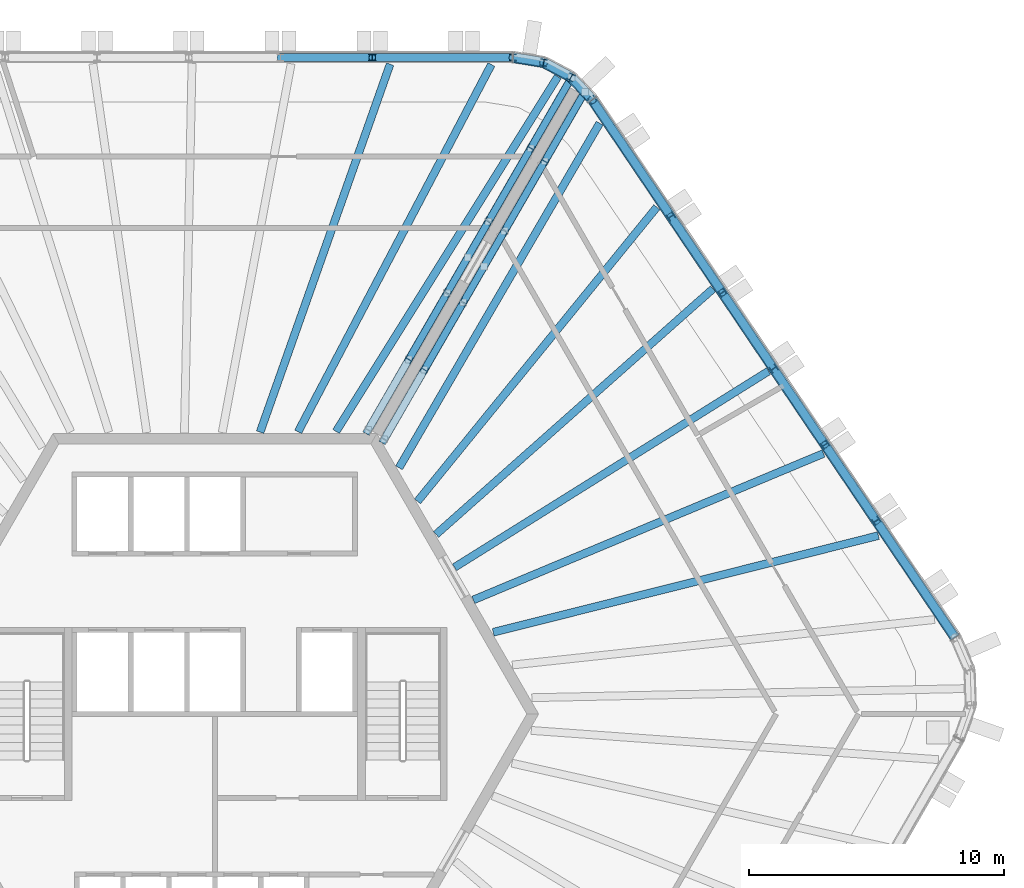
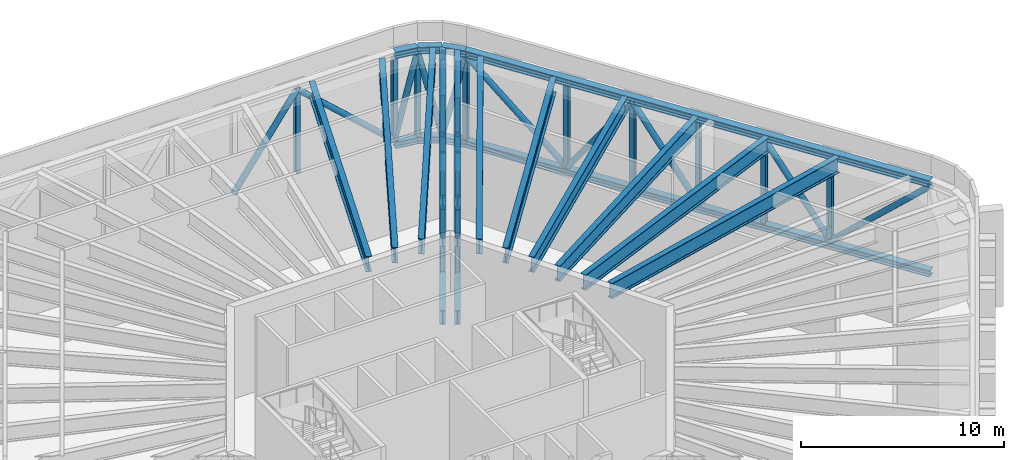
# One storey, part 8 of 19: 55 members, 9 beams.
"""IFC4 building model written with IfcOpenShell, lengths in metres."""

from ifc_helpers import new_model, si_unit, direction, frame, origin, origin_2d, place, context, subcontext, project, spatial, hollow_circle, i_section, extrude, material, material_profile, profile_set, type_object, element, save


model = new_model("IFC4")

# Units and contexts
model_context = context("Model", 3, precision=1e-05, world=origin(), true_north=direction((0.0, 1.0)))
body_context = subcontext(model_context, "Body", "Model", "MODEL_VIEW")
ifc_project = project(units=[si_unit("LENGTHUNIT", "METRE"), si_unit("AREAUNIT", "SQUARE_METRE"), si_unit("VOLUMEUNIT", "CUBIC_METRE"), si_unit("PLANEANGLEUNIT", "RADIAN"), si_unit("MASSUNIT", "GRAM", prefix="KILO")], contexts=[model_context])

# Site, building, storey
site_placement = place(None, origin())
site = spatial("IfcSite", under=ifc_project, at=site_placement, CompositionType="ELEMENT")
building_placement = place(site_placement, origin())
building = spatial("IfcBuilding", under=site, at=building_placement, Name="Tarnside Tower", CompositionType="ELEMENT")
storey_placement = place(building_placement, frame((0.0, 0.0, 343.5)))
storey = spatial("IfcBuildingStorey", under=building, at=storey_placement, Name="L83", CompositionType="ELEMENT", Elevation=343.5)

# Beams
ifc_material = material(Name="Steel S355", Category="steel")
ifc_material_profile_1 = material_profile(ifc_material, i_section(OverallWidth=0.3076171875, OverallDepth=0.926513671875, WebThickness=0.01953125, FlangeThickness=0.031982421875, FilletRadius=0.01904296875, at=origin_2d()), Name="UB 914x305x289")
ifc_profile_set_1 = profile_set([ifc_material_profile_1], Name="Steel S355")
beam_type = type_object("IfcBeamType", Name="Floor beam UB 914x305x289", PredefinedType="BEAM", material=ifc_profile_set_1)
beam_1_placement = place(storey_placement, frame((10.847412109375, 25.477783203125, 5.03662109375), z_axis=(-0.46569451432, -0.88494554597, 0.0), x_axis=(0.88494554597, -0.46569451432, 0.0)))
element("IfcBeam", 1, at=beam_1_placement, inside=storey, type_object=beam_type, Name="Floor beam F1.01", PredefinedType="BEAM", context=body_context, shape_type="SweptSolid", body=[
    extrude(i_section(OverallWidth=0.3076171875, OverallDepth=0.926513671875, WebThickness=0.01953125, FlangeThickness=0.031982421875, FilletRadius=0.01904296875, at=origin_2d()), origin(), (0.0, 0.0, 1.0), 16.280029296875),
])
beam_2_placement = place(storey_placement, frame((6.875, 25.491943359375, 5.03662109375), z_axis=(-0.33312706227, -0.942881944033, 0.0), x_axis=(0.942881944033, -0.33312706227, 0.0)))
element("IfcBeam", 2, at=beam_2_placement, inside=storey, type_object=beam_type, Name="Floor beam F1.02", PredefinedType="BEAM", context=body_context, shape_type="SweptSolid", body=[
    extrude(i_section(OverallWidth=0.3076171875, OverallDepth=0.926513671875, WebThickness=0.01953125, FlangeThickness=0.031982421875, FilletRadius=0.01904296875, at=origin_2d()), origin(), (0.0, 0.0, 1.0), 15.309814453125),
])
beam_3_placement = place(storey_placement, frame((26.02880859375, 6.998046875, 5.03662109375), z_axis=(-0.969916242187, -0.243438869414, 0.0), x_axis=(0.243438869414, -0.969916242187, 0.0)))
element("IfcBeam", 3, at=beam_3_placement, inside=storey, type_object=beam_type, Name="Floor beam F6.02", PredefinedType="BEAM", context=body_context, shape_type="SweptSolid", body=[
    extrude(i_section(OverallWidth=0.3076171875, OverallDepth=0.926513671875, WebThickness=0.01953125, FlangeThickness=0.031982421875, FilletRadius=0.01904296875, at=origin_2d()), origin(), (0.0, 0.0, 1.0), 15.579833984375),
])
beam_4_placement = place(storey_placement, frame((23.8759765625, 10.220458984375, 5.03662109375), z_axis=(-0.92253360101, -0.385916772124, 0.0), x_axis=(0.385916772124, -0.92253360101, 0.0)))
element("IfcBeam", 4, at=beam_4_placement, inside=storey, type_object=beam_type, Name="Floor beam F6.03", PredefinedType="BEAM", context=body_context, shape_type="SweptSolid", body=[
    extrude(i_section(OverallWidth=0.3076171875, OverallDepth=0.926513671875, WebThickness=0.01953125, FlangeThickness=0.031982421875, FilletRadius=0.01904296875, at=origin_2d()), origin(), (0.0, 0.0, 1.0), 14.88818359375),
])
beam_5_placement = place(storey_placement, frame((21.718994140625, 13.452392578125, 5.03662109375), z_axis=(-0.847975639538, -0.530035201426, 0.0), x_axis=(0.530035201426, -0.847975639538, 0.0)))
element("IfcBeam", 5, at=beam_5_placement, inside=storey, type_object=beam_type, Name="Floor beam F6.04", PredefinedType="BEAM", context=body_context, shape_type="SweptSolid", body=[
    extrude(i_section(OverallWidth=0.3076171875, OverallDepth=0.926513671875, WebThickness=0.01953125, FlangeThickness=0.031982421875, FilletRadius=0.01904296875, at=origin_2d()), origin(), (0.0, 0.0, 1.0), 14.5244140625),
])
beam_6_placement = place(storey_placement, frame((19.541748046875, 16.680908203125, 5.03662109375), z_axis=(-0.748136160611, -0.663545239743, 0.0), x_axis=(0.663545239743, -0.748136160611, 0.0)))
element("IfcBeam", 6, at=beam_6_placement, inside=storey, type_object=beam_type, Name="Floor beam F6.05", PredefinedType="BEAM", context=body_context, shape_type="SweptSolid", body=[
    extrude(i_section(OverallWidth=0.3076171875, OverallDepth=0.926513671875, WebThickness=0.01953125, FlangeThickness=0.031982421875, FilletRadius=0.01904296875, at=origin_2d()), origin(), (0.0, 0.0, 1.0), 14.52001953125),
])
beam_7_placement = place(storey_placement, frame((17.336669921875, 19.8828125, 5.03662109375), z_axis=(-0.631007120597, -0.775777038688, 0.0), x_axis=(0.775777038688, -0.631007120597, 0.0)))
element("IfcBeam", 7, at=beam_7_placement, inside=storey, type_object=beam_type, Name="Floor beam F6.06", PredefinedType="BEAM", context=body_context, shape_type="SweptSolid", body=[
    extrude(i_section(OverallWidth=0.3076171875, OverallDepth=0.926513671875, WebThickness=0.01953125, FlangeThickness=0.031982421875, FilletRadius=0.01904296875, at=origin_2d()), origin(), (0.0, 0.0, 1.0), 14.875732421875),
])
beam_8_placement = place(storey_placement, frame((15.096435546875, 23.177978515625, 5.03662109375), z_axis=(-0.503136289046, -0.864207078567, 0.0), x_axis=(0.864207078567, -0.503136289046, 0.0)))
element("IfcBeam", 8, at=beam_8_placement, inside=storey, type_object=beam_type, Name="Floor beam F6.07", PredefinedType="BEAM", context=body_context, shape_type="SweptSolid", body=[
    extrude(i_section(OverallWidth=0.3076171875, OverallDepth=0.926513671875, WebThickness=0.01953125, FlangeThickness=0.031982421875, FilletRadius=0.01904296875, at=origin_2d()), origin(), (0.0, 0.0, 1.0), 15.6435546875),
])
beam_9_placement = place(storey_placement, frame((13.455810546875, 25.00537109375, 5.03662109375), z_axis=(-0.530000276829, -0.847997468488, 0.0), x_axis=(0.847997468488, -0.530000276829, 0.0)))
element("IfcBeam", 9, at=beam_9_placement, inside=storey, type_object=beam_type, Name="Floor beam C6", PredefinedType="BEAM", context=body_context, shape_type="SweptSolid", body=[
    extrude(i_section(OverallWidth=0.3076171875, OverallDepth=0.926513671875, WebThickness=0.01953125, FlangeThickness=0.031982421875, FilletRadius=0.01904296875, at=origin_2d()), origin(), (0.0, 0.0, 1.0), 16.416015625),
])

# Members
ifc_material_profile_2 = material_profile(ifc_material, i_section(OverallWidth=0.291748046875, OverallDepth=0.8349609375, WebThickness=0.013916015625, FlangeThickness=0.018798828125, FilletRadius=0.017822265625, at=origin_2d()), Name="UB 838x292x176")
ifc_profile_set_2 = profile_set([ifc_material_profile_2], Name="Steel S355")
member_type_1 = type_object("IfcMemberType", Name="Outrigger chord UB 838x292x176", PredefinedType="CHORD", material=ifc_profile_set_2)
member_1_placement = place(storey_placement, frame((5.928466796875, 11.0, 5.08251953125), z_axis=(0.499997282881, 0.866026972508, 0.0), x_axis=(-0.866026972508, 0.499997282881, 0.0)))
element("IfcMember", 10, at=member_1_placement, inside=storey, type_object=member_type_1, Name="Outrigger truss top chord OR1A L83", PredefinedType="CHORD", context=body_context, shape_type="SweptSolid", body=[
    extrude(i_section(OverallWidth=0.291748046875, OverallDepth=0.8349609375, WebThickness=0.013916015625, FlangeThickness=0.018798828125, FilletRadius=0.017822265625, at=origin_2d()), origin(), (0.0, 0.0, 1.0), 16.12255859375),
])
member_2_placement = place(storey_placement, frame((5.928466796875, 11.0, 0.41748046875), z_axis=(0.500000237956, 0.866025266401, 0.0), x_axis=(-0.866025266401, 0.500000237956, 0.0)))
element("IfcMember", 11, at=member_2_placement, inside=storey, type_object=member_type_1, Name="Outrigger truss bottom chord OR1A L83", PredefinedType="CHORD", context=body_context, shape_type="SweptSolid", body=[
    extrude(i_section(OverallWidth=0.291748046875, OverallDepth=0.8349609375, WebThickness=0.013916015625, FlangeThickness=0.018798828125, FilletRadius=0.017822265625, at=origin_2d()), origin(), (0.0, 0.0, 1.0), 6.365234375),
])
member_3_placement = place(storey_placement, frame((10.729248046875, 19.3154296875, 0.41748046875), z_axis=(0.50000873066, 0.866020363077, 0.0), x_axis=(-0.866020363077, 0.50000873066, 0.0)))
element("IfcMember", 12, at=member_3_placement, inside=storey, type_object=member_type_1, Name="Outrigger truss bottom chord OR1A L83", PredefinedType="CHORD", context=body_context, shape_type="SweptSolid", body=[
    extrude(i_section(OverallWidth=0.291748046875, OverallDepth=0.8349609375, WebThickness=0.013916015625, FlangeThickness=0.018798828125, FilletRadius=0.017822265625, at=origin_2d()), origin(), (0.0, 0.0, 1.0), 6.52099609375),
])
member_4_placement = place(storey_placement, frame((9.111083984375, 16.512451171875, 2.867431640625), z_axis=(0.499968406128, 0.866043643747, 0.0), x_axis=(-0.866043643747, 0.499968406128, 0.0)))
element("IfcMember", 13, at=member_4_placement, inside=storey, type_object=member_type_1, Name="Outrigger truss lintel OR1A L83", PredefinedType="CHORD", context=body_context, shape_type="SweptSolid", body=[
    extrude(i_section(OverallWidth=0.291748046875, OverallDepth=0.8349609375, WebThickness=0.013916015625, FlangeThickness=0.018798828125, FilletRadius=0.017822265625, at=origin_2d()), origin(), (0.0, 0.0, 1.0), 3.236572265625),
])
member_5_placement = place(storey_placement, frame((6.56201171875, 10.634033203125, 5.08251953125), z_axis=(0.500004166856, 0.866022998036, 0.0), x_axis=(-0.866022998036, 0.500004166856, 0.0)))
element("IfcMember", 14, at=member_5_placement, inside=storey, type_object=member_type_1, Name="Outrigger truss top chord OR1B L83", PredefinedType="CHORD", context=body_context, shape_type="SweptSolid", body=[
    extrude(i_section(OverallWidth=0.291748046875, OverallDepth=0.8349609375, WebThickness=0.013916015625, FlangeThickness=0.018798828125, FilletRadius=0.017822265625, at=origin_2d()), origin(), (0.0, 0.0, 1.0), 15.903564453125),
])
member_6_placement = place(storey_placement, frame((6.56201171875, 10.634033203125, 0.41748046875), z_axis=(0.500000237956, 0.866025266401, 0.0), x_axis=(-0.866025266401, 0.500000237956, 0.0)))
element("IfcMember", 15, at=member_6_placement, inside=storey, type_object=member_type_1, Name="Outrigger truss bottom chord OR1B L83", PredefinedType="CHORD", context=body_context, shape_type="SweptSolid", body=[
    extrude(i_section(OverallWidth=0.291748046875, OverallDepth=0.8349609375, WebThickness=0.013916015625, FlangeThickness=0.018798828125, FilletRadius=0.017822265625, at=origin_2d()), origin(), (0.0, 0.0, 1.0), 6.365234375),
])
member_7_placement = place(storey_placement, frame((11.363037109375, 18.949462890625, 0.41748046875), z_axis=(0.499997445459, 0.866026878644, 0.0), x_axis=(-0.866026878644, 0.499997445459, 0.0)))
element("IfcMember", 16, at=member_7_placement, inside=storey, type_object=member_type_1, Name="Outrigger truss bottom chord OR1B L83", PredefinedType="CHORD", context=body_context, shape_type="SweptSolid", body=[
    extrude(i_section(OverallWidth=0.291748046875, OverallDepth=0.8349609375, WebThickness=0.013916015625, FlangeThickness=0.018798828125, FilletRadius=0.017822265625, at=origin_2d()), origin(), (0.0, 0.0, 1.0), 6.3017578125),
])
member_8_placement = place(storey_placement, frame((9.74462890625, 16.146484375, 2.867431640625), z_axis=(0.500024979889, 0.866010981159, 0.0), x_axis=(-0.866010981159, 0.500024979889, 0.0)))
element("IfcMember", 17, at=member_8_placement, inside=storey, type_object=member_type_1, Name="Outrigger truss lintel OR1B L83", PredefinedType="CHORD", context=body_context, shape_type="SweptSolid", body=[
    extrude(i_section(OverallWidth=0.291748046875, OverallDepth=0.8349609375, WebThickness=0.013916015625, FlangeThickness=0.018798828125, FilletRadius=0.017822265625, at=origin_2d()), origin(), (0.0, 0.0, 1.0), 3.236572265625),
])
ifc_material_profile_3 = material_profile(ifc_material, hollow_circle(Radius=0.136474609375, WallThickness=0.012451171875, at=origin_2d()), Name="CHS 273x12.5")
ifc_profile_set_3 = profile_set([ifc_material_profile_3], Name="Steel S355")
member_type_2 = type_object("IfcMemberType", Name="Outrigger diagonal CHS 273x12.5", PredefinedType="BRACE", material=ifc_profile_set_3)
member_9_placement = place(storey_placement, frame((7.60693359375, 13.907470703125, 4.6650390625), z_axis=(0.30885400319, 0.534892422341, -0.786447265387), x_axis=(-0.86600176378, 0.500040943453, 0.0)))
element("IfcMember", 18, at=member_9_placement, inside=storey, type_object=member_type_2, Name="Outrigger truss diagonal OR1A 2", PredefinedType="BRACE", context=body_context, shape_type="SweptSolid", body=[
    extrude(hollow_circle(Radius=0.136474609375, WallThickness=0.012451171875, at=origin_2d()), origin(), (0.0, 0.0, 1.0), 4.8701171875),
])
member_10_placement = place(storey_placement, frame((9.111083984375, 16.512451171875, 3.284912109375), z_axis=(0.380425782107, 0.658914903226, 0.648927865494), x_axis=(-0.866024786089, 0.500001069878, 0.0)))
element("IfcMember", 19, at=member_10_placement, inside=storey, type_object=member_type_2, Name="Outrigger truss diagonal OR1A 3", PredefinedType="BRACE", context=body_context, shape_type="SweptSolid", body=[
    extrude(hollow_circle(Radius=0.136474609375, WallThickness=0.012451171875, at=origin_2d()), origin(), (0.0, 0.0, 1.0), 2.126708984375),
])
member_11_placement = place(storey_placement, frame((10.729248046875, 19.3154296875, 3.284912109375), z_axis=(-0.380397007774, -0.658979849616, 0.648878782421), x_axis=(0.866062497709, -0.499935745934, 0.0)))
element("IfcMember", 20, at=member_11_placement, inside=storey, type_object=member_type_2, Name="Outrigger truss diagonal OR1A 4", PredefinedType="BRACE", context=body_context, shape_type="SweptSolid", body=[
    extrude(hollow_circle(Radius=0.136474609375, WallThickness=0.012451171875, at=origin_2d()), origin(), (0.0, 0.0, 1.0), 2.126953125),
])
member_12_placement = place(storey_placement, frame((10.729248046875, 19.3154296875, 4.6650390625), z_axis=(0.328036835984, 0.568183468222, -0.754691579837), x_axis=(-0.866028071719, 0.499995378973, 0.0)))
element("IfcMember", 21, at=member_12_placement, inside=storey, type_object=member_type_2, Name="Outrigger truss diagonal OR1A 5", PredefinedType="BRACE", context=body_context, shape_type="SweptSolid", body=[
    extrude(hollow_circle(Radius=0.136474609375, WallThickness=0.012451171875, at=origin_2d()), origin(), (0.0, 0.0, 1.0), 5.074951171875),
])
member_13_placement = place(storey_placement, frame((12.39404296875, 22.198974609375, 0.8349609375), z_axis=(0.320078876535, 0.554359376129, 0.768267658367), x_axis=(-0.866012320003, 0.50002266109, 0.0)))
element("IfcMember", 22, at=member_13_placement, inside=storey, type_object=member_type_2, Name="Outrigger truss diagonal OR1A 6", PredefinedType="BRACE", context=body_context, shape_type="SweptSolid", body=[
    extrude(hollow_circle(Radius=0.136474609375, WallThickness=0.012451171875, at=origin_2d()), origin(), (0.0, 0.0, 1.0), 4.9853515625),
])
member_14_placement = place(storey_placement, frame((8.21875, 13.503662109375, 4.6650390625), z_axis=(0.311583551532, 0.539662711253, -0.782099641029), x_axis=(-0.866019052629, 0.500011000363, 0.0)))
element("IfcMember", 23, at=member_14_placement, inside=storey, type_object=member_type_2, Name="Outrigger truss diagonal OR1B 2", PredefinedType="BRACE", context=body_context, shape_type="SweptSolid", body=[
    extrude(hollow_circle(Radius=0.136474609375, WallThickness=0.012451171875, at=origin_2d()), origin(), (0.0, 0.0, 1.0), 4.897216796875),
])
for number, where, z_axis, x_axis, name in (
    (24, (9.74462890625, 16.146484375, 3.284912109375), (0.380397007774, 0.658979849616, 0.648878782421), (-0.866062497709, 0.499935745934, 0.0), "Outrigger truss diagonal OR1B 3"),
    (25, (11.363037109375, 18.949462890625, 3.284912109375), (-0.380523955858, -0.658886125679, 0.648899524122), (0.865959452569, -0.500114213461, 0.0), "Outrigger truss diagonal OR1B 4"),
):
    element("IfcMember", number, at=place(storey_placement, frame(where, z_axis=z_axis, x_axis=x_axis)), inside=storey, type_object=member_type_2, Name=name, PredefinedType="BRACE", context=body_context, shape_type="SweptSolid", body=[
        extrude(hollow_circle(Radius=0.136474609375, WallThickness=0.012451171875, at=origin_2d()), origin(), (0.0, 0.0, 1.0), 2.126953125),
    ])
member_15_placement = place(storey_placement, frame((11.363037109375, 18.949462890625, 4.6650390625), z_axis=(0.317860940324, 0.550548925895, -0.771919881084), x_axis=(-0.86602447079, 0.500001615989, 0.0)))
element("IfcMember", 26, at=member_15_placement, inside=storey, type_object=member_type_2, Name="Outrigger truss diagonal OR1B 5", PredefinedType="BRACE", context=body_context, shape_type="SweptSolid", body=[
    extrude(hollow_circle(Radius=0.136474609375, WallThickness=0.012451171875, at=origin_2d()), origin(), (0.0, 0.0, 1.0), 4.961669921875),
])
member_16_placement = place(storey_placement, frame((12.940185546875, 21.68115234375, 0.8349609375), z_axis=(0.317447797706, 0.549845588177, 0.772590916912), x_axis=(-0.866029291668, 0.499993265928, 0.0)))
element("IfcMember", 27, at=member_16_placement, inside=storey, type_object=member_type_2, Name="Outrigger truss diagonal OR1B 6", PredefinedType="BRACE", context=body_context, shape_type="SweptSolid", body=[
    extrude(hollow_circle(Radius=0.136474609375, WallThickness=0.012451171875, at=origin_2d()), origin(), (0.0, 0.0, 1.0), 4.95751953125),
])
ifc_material_profile_4 = material_profile(ifc_material, i_section(OverallWidth=0.26123046875, OverallDepth=0.2763671875, WebThickness=0.015380859375, FlangeThickness=0.025390625, FilletRadius=0.0126953125, at=origin_2d()), Name="UC 254x254x132")
ifc_profile_set_4 = profile_set([ifc_material_profile_4], Name="Steel S355")
member_type_3 = type_object("IfcMemberType", Name="Outrigger post UC 254x254x132", PredefinedType="POST", material=ifc_profile_set_4)
member_17_placement = place(storey_placement, frame((7.60693359375, 13.907470703125, 0.8349609375), z_axis=(0.0, 0.0, 1.0), x_axis=(0.5, 0.866025403784, 0.0)))
element("IfcMember", 28, at=member_17_placement, inside=storey, type_object=member_type_3, Name="Outrigger truss post OR1A 2", PredefinedType="POST", context=body_context, shape_type="SweptSolid", body=[
    extrude(i_section(OverallWidth=0.26123046875, OverallDepth=0.2763671875, WebThickness=0.015380859375, FlangeThickness=0.025390625, FilletRadius=0.0126953125, at=origin_2d()), origin(), (0.0, 0.0, 1.0), 3.830078125),
])
for number, where, z_axis, x_axis, name in (
    (29, (9.111083984375, 16.512451171875, 0.8349609375), (0.0, 0.0, 1.0), (0.5, 0.866025403784, 0.0), "Outrigger truss post OR1A 3"),
    (30, (10.729248046875, 19.3154296875, 0.8349609375), (0.0, 0.0, 1.0), (0.5, 0.866025403784, 0.0), "Outrigger truss post OR1A 4"),
):
    element("IfcMember", number, at=place(storey_placement, frame(where, z_axis=z_axis, x_axis=x_axis)), inside=storey, type_object=member_type_3, Name=name, PredefinedType="POST", context=body_context, shape_type="SweptSolid", body=[
        extrude(i_section(OverallWidth=0.26123046875, OverallDepth=0.2763671875, WebThickness=0.015380859375, FlangeThickness=0.025390625, FilletRadius=0.0126953125, at=origin_2d()), origin(), (0.0, 0.0, 1.0), 1.614990234375),
    ])
for number, where, z_axis, x_axis, name in (
    (31, (12.39404296875, 22.198974609375, 0.8349609375), (0.0, 0.0, 1.0), (0.5, 0.866025403784, 0.0), "Outrigger truss post OR1A 5"),
    (32, (8.21875, 13.503662109375, 0.8349609375), (0.0, 0.0, 1.0), (0.5, 0.866025403784, 0.0), "Outrigger truss post OR1B 2"),
):
    element("IfcMember", number, at=place(storey_placement, frame(where, z_axis=z_axis, x_axis=x_axis)), inside=storey, type_object=member_type_3, Name=name, PredefinedType="POST", context=body_context, shape_type="SweptSolid", body=[
        extrude(i_section(OverallWidth=0.26123046875, OverallDepth=0.2763671875, WebThickness=0.015380859375, FlangeThickness=0.025390625, FilletRadius=0.0126953125, at=origin_2d()), origin(), (0.0, 0.0, 1.0), 3.830078125),
    ])
for number, where, z_axis, x_axis, name in (
    (33, (9.74462890625, 16.146484375, 0.8349609375), (0.0, 0.0, 1.0), (0.5, 0.866025403784, 0.0), "Outrigger truss post OR1B 3"),
    (34, (11.363037109375, 18.949462890625, 0.8349609375), (0.0, 0.0, 1.0), (0.5, 0.866025403784, 0.0), "Outrigger truss post OR1B 4"),
):
    element("IfcMember", number, at=place(storey_placement, frame(where, z_axis=z_axis, x_axis=x_axis)), inside=storey, type_object=member_type_3, Name=name, PredefinedType="POST", context=body_context, shape_type="SweptSolid", body=[
        extrude(i_section(OverallWidth=0.26123046875, OverallDepth=0.2763671875, WebThickness=0.015380859375, FlangeThickness=0.025390625, FilletRadius=0.0126953125, at=origin_2d()), origin(), (0.0, 0.0, 1.0), 1.614990234375),
    ])
member_18_placement = place(storey_placement, frame((12.940185546875, 21.68115234375, 0.8349609375), z_axis=(0.0, 0.0, 1.0), x_axis=(0.5, 0.866025403784, 0.0)))
element("IfcMember", 35, at=member_18_placement, inside=storey, type_object=member_type_3, Name="Outrigger truss post OR1B 5", PredefinedType="POST", context=body_context, shape_type="SweptSolid", body=[
    extrude(i_section(OverallWidth=0.26123046875, OverallDepth=0.2763671875, WebThickness=0.015380859375, FlangeThickness=0.025390625, FilletRadius=0.0126953125, at=origin_2d()), origin(), (0.0, 0.0, 1.0), 3.830078125),
])
ifc_material_profile_5 = material_profile(ifc_material, i_section(OverallWidth=0.39892578125, OverallDepth=0.3935546875, WebThickness=0.022705078125, FlangeThickness=0.03662109375, FilletRadius=0.01513671875, at=origin_2d()), Name="UC 356x406x287")
ifc_profile_set_5 = profile_set([ifc_material_profile_5], Name="Steel S355")
member_type_4 = type_object("IfcMemberType", Name="Truss chord UC 356x406x287", PredefinedType="CHORD", material=ifc_profile_set_5)
member_19_placement = place(storey_placement, frame((29.034912109375, 3.002197265625, -0.103271484375), z_axis=(-0.559191361061, 0.829038612922, 0.0), x_axis=(-0.829038612922, -0.559191361061, 0.0)))
element("IfcMember", 36, at=member_19_placement, inside=storey, type_object=member_type_4, Name="Belt truss bottom chord L83 run", PredefinedType="CHORD", context=body_context, shape_type="SweptSolid", body=[
    extrude(i_section(OverallWidth=0.39892578125, OverallDepth=0.3935546875, WebThickness=0.022705078125, FlangeThickness=0.03662109375, FilletRadius=0.01513671875, at=origin_2d()), origin(), (0.0, 0.0, 1.0), 25.44482421875),
])
for number, where, z_axis, x_axis, name in (
    (37, (14.806396484375, 24.096923828125, -0.103271484375), (-0.686234452793, 0.727380420275, 0.0), (-0.727380420275, -0.686234452793, 0.0), "Belt truss bottom chord L83 corner6.1"),
    (38, (13.9716796875, 24.981689453125, -0.103271484375), (-0.882946743373, 0.469473160434, 0.0), (-0.469473160434, -0.882946743373, 0.0), "Belt truss bottom chord L83 corner6.2"),
    (39, (12.897705078125, 25.552734375, -0.103271484375), (-0.986760339083, 0.162185181851, 0.0), (-0.162185181851, -0.986760339083, 0.0), "Belt truss bottom chord L83 corner6.3"),
):
    element("IfcMember", number, at=place(storey_placement, frame(where, z_axis=z_axis, x_axis=x_axis)), inside=storey, type_object=member_type_4, Name=name, PredefinedType="CHORD", context=body_context, shape_type="SweptSolid", body=[
        extrude(i_section(OverallWidth=0.39892578125, OverallDepth=0.3935546875, WebThickness=0.022705078125, FlangeThickness=0.03662109375, FilletRadius=0.01513671875, at=origin_2d()), origin(), (0.0, 0.0, 1.0), 1.21630859375),
    ])
ifc_material_profile_6 = material_profile(ifc_material, i_section(OverallWidth=0.403076171875, OverallDepth=0.406494140625, WebThickness=0.026611328125, FlangeThickness=0.04296875, FilletRadius=0.01513671875, at=origin_2d()), Name="UC 356x406x340")
ifc_profile_set_6 = profile_set([ifc_material_profile_6], Name="Steel S355")
member_type_5 = type_object("IfcMemberType", Name="Truss chord UC 356x406x340", PredefinedType="CHORD", material=ifc_profile_set_6)
member_20_placement = place(storey_placement, frame((29.034912109375, 3.002197265625, 5.296875), z_axis=(-0.559191361061, 0.829038612922, 0.0), x_axis=(-0.829038612922, -0.559191361061, 0.0)))
element("IfcMember", 40, at=member_20_placement, inside=storey, type_object=member_type_5, Name="Belt truss top chord L83 run", PredefinedType="CHORD", context=body_context, shape_type="SweptSolid", body=[
    extrude(i_section(OverallWidth=0.403076171875, OverallDepth=0.406494140625, WebThickness=0.026611328125, FlangeThickness=0.04296875, FilletRadius=0.01513671875, at=origin_2d()), origin(), (0.0, 0.0, 1.0), 25.44482421875),
])
for number, where, z_axis, x_axis, name in (
    (41, (14.806396484375, 24.096923828125, 5.296875), (-0.686234452793, 0.727380420275, 0.0), (-0.727380420275, -0.686234452793, 0.0), "Belt truss top chord L83 corner6.1"),
    (42, (13.9716796875, 24.981689453125, 5.296875), (-0.882946743373, 0.469473160434, 0.0), (-0.469473160434, -0.882946743373, 0.0), "Belt truss top chord L83 corner6.2"),
    (43, (12.897705078125, 25.552734375, 5.296875), (-0.986760339083, 0.162185181851, 0.0), (-0.162185181851, -0.986760339083, 0.0), "Belt truss top chord L83 corner6.3"),
):
    element("IfcMember", number, at=place(storey_placement, frame(where, z_axis=z_axis, x_axis=x_axis)), inside=storey, type_object=member_type_5, Name=name, PredefinedType="CHORD", context=body_context, shape_type="SweptSolid", body=[
        extrude(i_section(OverallWidth=0.403076171875, OverallDepth=0.406494140625, WebThickness=0.026611328125, FlangeThickness=0.04296875, FilletRadius=0.01513671875, at=origin_2d()), origin(), (0.0, 0.0, 1.0), 1.21630859375),
    ])
ifc_material_profile_7 = material_profile(ifc_material, hollow_circle(Radius=0.161865234375, WallThickness=0.012451171875, at=origin_2d()), Name="CHS 323.9x12.5")
ifc_profile_set_7 = profile_set([ifc_material_profile_7], Name="Steel S355")
member_type_6 = type_object("IfcMemberType", Name="Truss diagonal CHS 323.9x12.5", PredefinedType="BRACE", material=ifc_profile_set_7)
member_21_placement = place(storey_placement, frame((11.697509765625, 25.75, 0.093505859375), z_axis=(-0.741288052829, 0.0, 0.671187025153), x_axis=(0.0, -1.0, 0.0)))
element("IfcMember", 44, at=member_21_placement, inside=storey, type_object=member_type_6, Name="Belt truss diagonal L83 1", PredefinedType="BRACE", context=body_context, shape_type="SweptSolid", body=[
    extrude(hollow_circle(Radius=0.161865234375, WallThickness=0.012451171875, at=origin_2d()), origin(), (0.0, 0.0, 1.0), 7.449462890625),
])
member_22_placement = place(storey_placement, frame((6.17529296875, 25.75, 5.093505859375), z_axis=(-0.584315164504, 0.0, -0.811526825515), x_axis=(0.0, -1.0, 0.0)))
element("IfcMember", 45, at=member_22_placement, inside=storey, type_object=member_type_6, Name="Belt truss diagonal L83 2", PredefinedType="BRACE", context=body_context, shape_type="SweptSolid", body=[
    extrude(hollow_circle(Radius=0.161865234375, WallThickness=0.012451171875, at=origin_2d()), origin(), (0.0, 0.0, 1.0), 6.1611328125),
])
member_23_placement = place(storey_placement, frame((29.034912109375, 3.002197265625, 5.093505859375), z_axis=(-0.414504246954, 0.614579233328, -0.671177022266), x_axis=(-0.829059260213, -0.55916074885, 0.0)))
element("IfcMember", 46, at=member_23_placement, inside=storey, type_object=member_type_6, Name="Belt truss diagonal L83 46", PredefinedType="BRACE", context=body_context, shape_type="SweptSolid", body=[
    extrude(hollow_circle(Radius=0.161865234375, WallThickness=0.012451171875, at=origin_2d()), origin(), (0.0, 0.0, 1.0), 7.44970703125),
])
for number, where, z_axis, x_axis, name in (
    (47, (25.947021484375, 7.58056640625, 0.093505859375), (-0.326749824823, 0.484418701002, 0.81152515309), (-0.829033379241, -0.559199120264, 0.0), "Belt truss diagonal L83 47"),
    (48, (23.933837890625, 10.565185546875, 5.093505859375), (-0.326749824823, 0.484418701002, -0.81152515309), (-0.829033379241, -0.559199120264, 0.0), "Belt truss diagonal L83 48"),
    (49, (21.920654296875, 13.5498046875, 0.093505859375), (-0.326720700931, 0.484394645019, 0.811551237729), (-0.829043612683, -0.559183948509, 0.0), "Belt truss diagonal L83 49"),
    (50, (19.90771484375, 16.5341796875, 5.093505859375), (-0.326749824823, 0.484418701002, -0.81152515309), (-0.829033379241, -0.559199120264, 0.0), "Belt truss diagonal L83 50"),
):
    element("IfcMember", number, at=place(storey_placement, frame(where, z_axis=z_axis, x_axis=x_axis)), inside=storey, type_object=member_type_6, Name=name, PredefinedType="BRACE", context=body_context, shape_type="SweptSolid", body=[
        extrude(hollow_circle(Radius=0.161865234375, WallThickness=0.012451171875, at=origin_2d()), origin(), (0.0, 0.0, 1.0), 6.1611328125),
    ])
member_24_placement = place(storey_placement, frame((17.89453125, 19.518798828125, 0.093505859375), z_axis=(-0.414539736938, 0.614550489925, 0.671181422443), x_axis=(-0.829024941204, -0.559211629762, 0.0)))
element("IfcMember", 51, at=member_24_placement, inside=storey, type_object=member_type_6, Name="Belt truss diagonal L83 51", PredefinedType="BRACE", context=body_context, shape_type="SweptSolid", body=[
    extrude(hollow_circle(Radius=0.161865234375, WallThickness=0.012451171875, at=origin_2d()), origin(), (0.0, 0.0, 1.0), 7.449462890625),
])
for number, where, z_axis, x_axis, name in (
    (52, (14.806396484375, 24.096923828125, 5.093505859375), (-0.162212288524, 0.171938383625, -0.971660622691), (-0.727380420275, -0.686234452793, 0.0), "Belt truss diagonal L83 52"),
    (53, (13.9716796875, 24.981689453125, 0.093505859375), (-0.208707958981, 0.110972474666, 0.971661513967), (-0.469473160434, -0.882946743373, 0.0), "Belt truss diagonal L83 53"),
    (54, (12.897705078125, 25.552734375, 5.093505859375), (-0.233237296917, 0.038335178175, -0.971663922064), (-0.162185181851, -0.986760339083, 0.0), "Belt truss diagonal L83 54"),
):
    element("IfcMember", number, at=place(storey_placement, frame(where, z_axis=z_axis, x_axis=x_axis)), inside=storey, type_object=member_type_6, Name=name, PredefinedType="BRACE", context=body_context, shape_type="SweptSolid", body=[
        extrude(hollow_circle(Radius=0.161865234375, WallThickness=0.012451171875, at=origin_2d()), origin(), (0.0, 0.0, 1.0), 5.145751953125),
    ])
ifc_material_profile_8 = material_profile(ifc_material, i_section(OverallWidth=0.26123046875, OverallDepth=0.2763671875, WebThickness=0.015380859375, FlangeThickness=0.025390625, FilletRadius=0.0126953125, at=origin_2d()), Name="UC 254x254x132")
ifc_profile_set_8 = profile_set([ifc_material_profile_8], Name="Steel S355")
member_type_7 = type_object("IfcMemberType", Name="Truss post UC 254x254x132", PredefinedType="POST", material=ifc_profile_set_8)
for number, where, z_axis, x_axis, name in (
    (55, (11.697509765625, 25.75, 0.093505859375), (0.0, 0.0, 1.0), (-1.0, 0.0, 0.0), "Belt truss post L83 1"),
    (56, (6.17529296875, 25.75, 0.093505859375), (0.0, 0.0, 1.0), (-1.0, 0.0, 0.0), "Belt truss post L83 2"),
    (57, (25.947021484375, 7.58056640625, 0.093505859375), (0.0, 0.0, 1.0), (-0.559192903471, 0.829037572555, 0.0), "Belt truss post L83 47"),
    (58, (23.933837890625, 10.565185546875, 0.093505859375), (0.0, 0.0, 1.0), (-0.559192903471, 0.829037572555, 0.0), "Belt truss post L83 48"),
    (59, (21.920654296875, 13.5498046875, 0.093505859375), (0.0, 0.0, 1.0), (-0.559192903471, 0.829037572555, 0.0), "Belt truss post L83 49"),
    (60, (19.90771484375, 16.5341796875, 0.093505859375), (0.0, 0.0, 1.0), (-0.559192903471, 0.829037572555, 0.0), "Belt truss post L83 50"),
    (61, (17.89453125, 19.518798828125, 0.093505859375), (0.0, 0.0, 1.0), (-0.559192903471, 0.829037572555, 0.0), "Belt truss post L83 51"),
    (62, (14.806396484375, 24.096923828125, 0.093505859375), (0.0, 0.0, 1.0), (-0.559192903471, 0.829037572555, 0.0), "Belt truss post L83 52"),
    (63, (13.9716796875, 24.981689453125, 0.093505859375), (0.0, 0.0, 1.0), (-0.882947592859, 0.469471562786, 0.0), "Belt truss post L83 53"),
    (64, (12.897705078125, 25.552734375, 0.093505859375), (0.0, 0.0, 1.0), (-0.986761532114, 0.1621779231, 0.0), "Belt truss post L83 54"),
):
    element("IfcMember", number, at=place(storey_placement, frame(where, z_axis=z_axis, x_axis=x_axis)), inside=storey, type_object=member_type_7, Name=name, PredefinedType="POST", context=body_context, shape_type="SweptSolid", body=[
        extrude(i_section(OverallWidth=0.26123046875, OverallDepth=0.2763671875, WebThickness=0.015380859375, FlangeThickness=0.025390625, FilletRadius=0.0126953125, at=origin_2d()), origin(), (0.0, 0.0, 1.0), 5.0),
    ])

save(model, "model.ifc")
